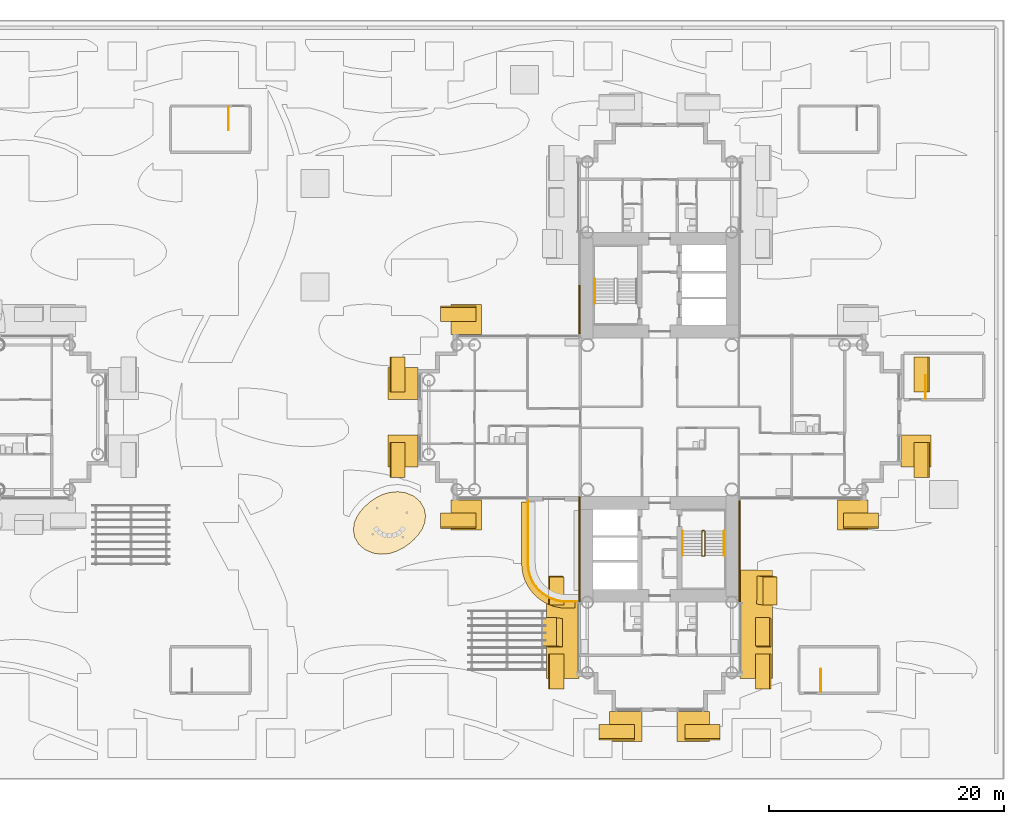
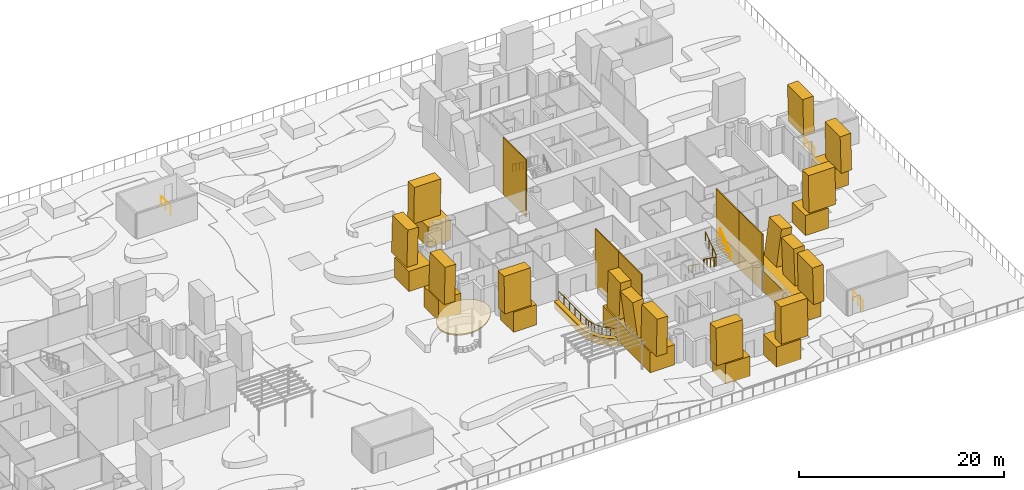
# One storey, part 38 of 40: 32 coverings, 8 railings.
"""IFC4 building model written with IfcOpenShell, lengths in metres."""

from ifc_helpers import new_model, si_unit, direction, frame, origin, origin_2d, place, context, subcontext, project, spatial, polyline, rectangle, circle, outline, extrude, material, layer, layer_set, material_profile, profile_set, type_object, element, save


model = new_model("IFC4")

# Units and contexts
model_context = context("Model", 3, precision=1e-05, world=origin(), true_north=direction((0.0, 1.0)))
body_context = subcontext(model_context, "Body", "Model", "MODEL_VIEW")
ifc_project = project(units=[si_unit("LENGTHUNIT", "METRE"), si_unit("AREAUNIT", "SQUARE_METRE"), si_unit("VOLUMEUNIT", "CUBIC_METRE"), si_unit("PLANEANGLEUNIT", "RADIAN"), si_unit("MASSUNIT", "GRAM", prefix="KILO")], contexts=[model_context])

# Site, building, storey
site_placement = place(None, origin())
site = spatial("IfcSite", under=ifc_project, at=site_placement, CompositionType="ELEMENT")
building_placement = place(site_placement, origin())
building = spatial("IfcBuilding", under=site, at=building_placement, Name="Ipe Terrace Towers", CompositionType="ELEMENT")
storey_placement = place(building_placement, frame((0.0, 0.0, 24.5)))
storey = spatial("IfcBuildingStorey", under=building, at=storey_placement, Name="L05", CompositionType="ELEMENT", Elevation=24.5)

# Covering
ifc_material_1 = material(Name="Concrete C40/50 cast in place", Category="concrete")
ifc_layer_1 = layer(ifc_material_1, 0.14990234375)
ifc_layer_set_1 = layer_set([ifc_layer_1], Name="GARDEN SHADE CANOPY 150")
covering_type_1 = type_object("IfcCoveringType", Name="GARDEN SHADE CANOPY 150", PredefinedType="USERDEFINED", material=ifc_layer_set_1)
covering_1_placement = place(storey_placement, frame((0.0, 0.0, 3.179931640625)))
element("IfcCovering", 1, at=covering_1_placement, inside=storey, type_object=covering_type_1, Name="garden shade canopy", ObjectType="CANOPY", PredefinedType="USERDEFINED", context=body_context, shape_type="SweptSolid", body=[
    extrude(outline(polyline([(16.0, -9.0), (15.77294921875, -9.548095703125), (15.448974609375, -10.02197265625), (15.071044921875, -10.430908203125), (14.652099609375, -10.794921875), (14.179931640625, -11.123046875), (13.633056640625, -11.403076171875), (13.0, -11.60009765625), (12.298095703125, -11.6669921875), (11.575927734375, -11.56201171875), (10.910888671875, -11.27099609375), (10.3798828125, -10.81103515625), (10.0439453125, -10.23388671875), (9.923095703125, -9.60888671875), (10.0, -9.0), (10.22705078125, -8.451904296875), (10.551025390625, -7.97802734375), (10.928955078125, -7.569091796875), (11.347900390625, -7.205078125), (11.820068359375, -6.876953125), (12.366943359375, -6.596923828125), (13.0, -6.39990234375), (13.701904296875, -6.3330078125), (14.424072265625, -6.43798828125), (15.089111328125, -6.72900390625), (15.6201171875, -7.18896484375), (15.9560546875, -7.76611328125), (16.076904296875, -8.39111328125), (16.0, -9.0)])), origin(), (0.0, 0.0, 1.0), 0.150146484375),
])

# Railing
ifc_material_2 = material(Name="Stainless steel S316", Category="steel")
railing_type_1 = type_object("IfcRailingType", Name="GUARD 1100", PredefinedType="BALUSTRADE", material=ifc_material_2)
railing_1_placement = place(storey_placement, frame((24.800048828125, -7.070068359375, -0.02001953125)))
element("IfcRailing", 2, at=railing_1_placement, inside=storey, type_object=railing_type_1, Name="guard", PredefinedType="BALUSTRADE", context=body_context, shape_type="SweptSolid", body=[
    extrude(circle(Radius=0.02392578125, at=origin_2d()), frame((0.0, 0.0, 1.076171875), z_axis=(0.0, -1.0, 0.0), x_axis=(1.0, 0.0, 0.0)), (0.0, 0.0, 1.0), 5.3779296875),
    extrude(circle(Radius=0.02392578125, at=origin_2d()), frame((0.0, -5.3779296875, 1.076171875), z_axis=(0.065190546171, -0.997872833927, 0.0), x_axis=(0.997872833927, 0.065190546171, 0.0)), (0.0, 0.0, 1.0), 0.427001953125),
    extrude(circle(Radius=0.02392578125, at=origin_2d()), frame((0.02783203125, -5.803955078125, 1.076171875), z_axis=(0.195232649896, -0.980756958892, 0.0), x_axis=(0.980756958892, 0.195232649896, 0.0)), (0.0, 0.0, 1.0), 0.42529296875),
    extrude(circle(Radius=0.02392578125, at=origin_2d()), frame((0.11083984375, -6.220947265625, 1.076171875), z_axis=(0.320184280026, -0.947355280148, 0.0), x_axis=(0.947355280148, 0.320184280026, 0.0)), (0.0, 0.0, 1.0), 0.425537109375),
    extrude(circle(Radius=0.02392578125, at=origin_2d()), frame((0.2470703125, -6.6240234375, 1.076171875), z_axis=(0.444455160923, -0.895801099535, 0.0), x_axis=(0.895801099535, 0.444455160923, 0.0)), (0.0, 0.0, 1.0), 0.425048828125),
    extrude(circle(Radius=0.02392578125, at=origin_2d()), frame((0.43603515625, -7.0048828125, 1.076171875), z_axis=(0.55549616226, -0.83151910003, 0.0), x_axis=(0.83151910003, 0.55549616226, 0.0)), (0.0, 0.0, 1.0), 0.424560546875),
    extrude(circle(Radius=0.02392578125, at=origin_2d()), frame((0.671875, -7.35791015625, 1.076171875), z_axis=(0.658463964434, -0.752612255774, 0.0), x_axis=(0.752612255774, 0.658463964434, 0.0)), (0.0, 0.0, 1.0), 0.42529296875),
    extrude(circle(Radius=0.02392578125, at=origin_2d()), frame((0.951904296875, -7.677978515625, 1.076171875), z_axis=(0.752612255774, -0.658463964434, 0.0), x_axis=(0.658463964434, 0.752612255774, 0.0)), (0.0, 0.0, 1.0), 0.42529296875),
    extrude(circle(Radius=0.02392578125, at=origin_2d()), frame((1.27197265625, -7.9580078125, 1.076171875), z_axis=(0.83151910003, -0.55549616226, 0.0), x_axis=(0.55549616226, 0.83151910003, 0.0)), (0.0, 0.0, 1.0), 0.424560546875),
    extrude(circle(Radius=0.02392578125, at=origin_2d()), frame((1.625, -8.19384765625, 1.076171875), z_axis=(0.895801099535, -0.444455160923, 0.0), x_axis=(0.444455160923, 0.895801099535, 0.0)), (0.0, 0.0, 1.0), 0.425048828125),
    extrude(circle(Radius=0.02392578125, at=origin_2d()), frame((2.005859375, -8.3828125, 1.076171875), z_axis=(0.947355280148, -0.320184280026, 0.0), x_axis=(0.320184280026, 0.947355280148, 0.0)), (0.0, 0.0, 1.0), 0.425537109375),
    extrude(circle(Radius=0.02392578125, at=origin_2d()), frame((2.408935546875, -8.51904296875, 1.076171875), z_axis=(0.980756958892, -0.195232649896, 0.0), x_axis=(0.195232649896, 0.980756958892, 0.0)), (0.0, 0.0, 1.0), 0.42529296875),
    extrude(circle(Radius=0.02392578125, at=origin_2d()), frame((2.825927734375, -8.60205078125, 1.076171875), z_axis=(0.997872833927, -0.065190546171, 0.0), x_axis=(0.065190546171, 0.997872833927, 0.0)), (0.0, 0.0, 1.0), 0.427001953125),
    extrude(circle(Radius=0.02392578125, at=origin_2d()), frame((3.251953125, -8.6298828125, 1.076171875), z_axis=(1.0, 0.0, 0.0), x_axis=(0.0, 1.0, 0.0)), (0.0, 0.0, 1.0), 0.8779296875),
    extrude(circle(Radius=0.02099609375, at=origin_2d()), origin(), (0.0, 0.0, 1.0), 1.052001953125),
    extrude(circle(Radius=0.02099609375, at=origin_2d()), frame((0.0, -1.07568359375, 0.0)), (0.0, 0.0, 1.0), 1.052001953125),
    extrude(circle(Radius=0.02099609375, at=origin_2d()), frame((0.0, -2.151123046875, 0.0)), (0.0, 0.0, 1.0), 1.052001953125),
    extrude(circle(Radius=0.02099609375, at=origin_2d()), frame((0.0, -3.226806640625, 0.0)), (0.0, 0.0, 1.0), 1.052001953125),
    extrude(circle(Radius=0.02099609375, at=origin_2d()), frame((0.0, -4.30224609375, 0.0)), (0.0, 0.0, 1.0), 1.052001953125),
    extrude(circle(Radius=0.02099609375, at=origin_2d()), frame((0.0, -5.3779296875, 0.0)), (0.0, 0.0, 1.0), 1.052001953125),
    extrude(circle(Radius=0.02099609375, at=origin_2d()), frame((0.02783203125, -5.803955078125, 0.0)), (0.0, 0.0, 1.0), 1.052001953125),
    extrude(circle(Radius=0.02099609375, at=origin_2d()), frame((0.11083984375, -6.220947265625, 0.0)), (0.0, 0.0, 1.0), 1.052001953125),
    extrude(circle(Radius=0.02099609375, at=origin_2d()), frame((0.2470703125, -6.6240234375, 0.0)), (0.0, 0.0, 1.0), 1.052001953125),
    extrude(circle(Radius=0.02099609375, at=origin_2d()), frame((0.43603515625, -7.0048828125, 0.0)), (0.0, 0.0, 1.0), 1.052001953125),
    extrude(circle(Radius=0.02099609375, at=origin_2d()), frame((0.671875, -7.35791015625, 0.0)), (0.0, 0.0, 1.0), 1.052001953125),
    extrude(circle(Radius=0.02099609375, at=origin_2d()), frame((0.951904296875, -7.677978515625, 0.0)), (0.0, 0.0, 1.0), 1.052001953125),
    extrude(circle(Radius=0.02099609375, at=origin_2d()), frame((1.27197265625, -7.9580078125, 0.0)), (0.0, 0.0, 1.0), 1.052001953125),
    extrude(circle(Radius=0.02099609375, at=origin_2d()), frame((1.625, -8.19384765625, 0.0)), (0.0, 0.0, 1.0), 1.052001953125),
    extrude(circle(Radius=0.02099609375, at=origin_2d()), frame((2.005859375, -8.3828125, 0.0)), (0.0, 0.0, 1.0), 1.052001953125),
    extrude(circle(Radius=0.02099609375, at=origin_2d()), frame((2.408935546875, -8.51904296875, 0.0)), (0.0, 0.0, 1.0), 1.052001953125),
    extrude(circle(Radius=0.02099609375, at=origin_2d()), frame((2.825927734375, -8.60205078125, 0.0)), (0.0, 0.0, 1.0), 1.052001953125),
    extrude(circle(Radius=0.02099609375, at=origin_2d()), frame((3.251953125, -8.6298828125, 0.0)), (0.0, 0.0, 1.0), 1.052001953125),
    extrude(circle(Radius=0.02099609375, at=origin_2d()), frame((4.1298828125, -8.6298828125, 0.0)), (0.0, 0.0, 1.0), 1.052001953125),
])

# Coverings
ifc_material_3 = material(Name="Concrete C50/60 precast, buff finish", Category="concrete")
ifc_layer_2 = layer(ifc_material_3, 0.1201171875)
ifc_layer_set_2 = layer_set([ifc_layer_2], Name="STONE CORE CLADDING 120")
covering_type_2 = type_object("IfcCoveringType", Name="STONE CORE CLADDING 120", PredefinedType="CLADDING", material=ifc_layer_set_2)
covering_2_placement = place(storey_placement, frame((29.18994140625, -13.5, 0.0), z_axis=(0.0, 0.0, 1.0), x_axis=(0.0, -1.0, 0.0)))
element("IfcCovering", 3, at=covering_2_placement, inside=storey, type_object=covering_type_2, Name="stone core cladding", PredefinedType="CLADDING", context=body_context, shape_type="SweptSolid", body=[
    extrude(rectangle(XDim=4.5009765625, YDim=0.1201171875, at=origin_2d()), origin(), (0.0, 0.0, 1.0), 6.800048828125),
])
for number, where, z_axis, x_axis, name in (
    (4, (29.18994140625, -9.0, 0.0), (0.0, 0.0, 1.0), (0.0, -1.0, 0.0), "stone core cladding"),
    (5, (29.18994140625, 9.0, 0.0), (0.0, 0.0, 1.0), (0.0, -1.0, 0.0), "stone core cladding"),
):
    element("IfcCovering", number, at=place(storey_placement, frame(where, z_axis=z_axis, x_axis=x_axis)), inside=storey, type_object=covering_type_2, Name=name, PredefinedType="CLADDING", context=body_context, shape_type="SweptSolid", body=[
        extrude(rectangle(XDim=4.5, YDim=0.1201171875, at=origin_2d()), origin(), (0.0, 0.0, 1.0), 6.800048828125),
    ])
covering_3_placement = place(storey_placement, frame((42.81005859375, -13.5, 0.0), z_axis=(0.0, 0.0, 1.0), x_axis=(0.0, 1.0, 0.0)))
element("IfcCovering", 6, at=covering_3_placement, inside=storey, type_object=covering_type_2, Name="stone core cladding", PredefinedType="CLADDING", context=body_context, shape_type="SweptSolid", body=[
    extrude(rectangle(XDim=4.5009765625, YDim=0.1201171875, at=origin_2d()), origin(), (0.0, 0.0, 1.0), 6.800048828125),
])
covering_4_placement = place(storey_placement, frame((42.81005859375, -9.0, 0.0), z_axis=(0.0, 0.0, 1.0), x_axis=(0.0, 1.0, 0.0)))
element("IfcCovering", 7, at=covering_4_placement, inside=storey, type_object=covering_type_2, Name="stone core cladding", PredefinedType="CLADDING", context=body_context, shape_type="SweptSolid", body=[
    extrude(rectangle(XDim=4.5, YDim=0.1201171875, at=origin_2d()), origin(), (0.0, 0.0, 1.0), 6.800048828125),
])
ifc_material_4 = material(Name="Concrete C50/60 precast, buff finish", Category="concrete")
ifc_layer_3 = layer(ifc_material_4, 0.5)
ifc_layer_set_3 = layer_set([ifc_layer_3], Name="STONE EDGE BAND 500 x 900")
covering_type_3 = type_object("IfcCoveringType", Name="STONE EDGE BAND 500 x 900", PredefinedType="CLADDING", material=ifc_layer_set_3)
covering_5_placement = place(storey_placement, frame((0.0, 0.0, -0.719970703125)))
element("IfcCovering", 8, at=covering_5_placement, inside=storey, type_object=covering_type_3, Name="stone edge band", PredefinedType="CLADDING", context=body_context, shape_type="SweptSolid", body=[
    extrude(outline(polyline([(24.25, -12.449951171875), (24.2509765625, -12.48291015625), (24.279052734375, -12.9130859375), (24.2880859375, -12.97802734375), (24.3720703125, -13.402099609375), (24.388916015625, -13.465087890625), (24.528076171875, -13.8740234375), (24.552978515625, -13.93408203125), (24.743896484375, -14.321044921875), (24.77587890625, -14.3779296875), (25.01611328125, -14.737060546875), (25.055908203125, -14.7890625), (25.341064453125, -15.113037109375), (25.386962890625, -15.158935546875), (25.7109375, -15.444091796875), (25.762939453125, -15.48388671875), (26.1220703125, -15.72412109375), (26.178955078125, -15.756103515625), (26.56591796875, -15.947021484375), (26.6259765625, -15.971923828125), (27.034912109375, -16.111083984375), (27.097900390625, -16.1279296875), (27.52197265625, -16.2119140625), (27.5869140625, -16.220947265625), (28.01708984375, -16.2490234375), (28.050048828125, -16.25), (28.800048828125, -16.25), (28.800048828125, -15.75), (28.050048828125, -15.75), (27.618896484375, -15.721923828125), (27.196044921875, -15.637939453125), (26.787109375, -15.4990234375), (26.39990234375, -15.30810546875), (26.041015625, -15.068115234375), (25.717041015625, -14.782958984375), (25.431884765625, -14.458984375), (25.19189453125, -14.10009765625), (25.0009765625, -13.712890625), (24.862060546875, -13.303955078125), (24.778076171875, -12.881103515625), (24.75, -12.449951171875), (24.75, -7.199951171875), (24.25, -7.199951171875), (24.25, -12.449951171875)])), origin(), (0.0, 0.0, 1.0), 0.89990234375),
])
ifc_material_5 = material(Name="Concrete C50/60 precast, buff finish", Category="concrete")
ifc_material_profile_1 = material_profile(ifc_material_5, rectangle(XDim=2.39990234375, YDim=1.199951171875, at=origin_2d()), Name="STONE FIN 2400 x 1200")
ifc_profile_set_1 = profile_set([ifc_material_profile_1], Name="Concrete C50/60 precast, buff finish")
covering_type_4 = type_object("IfcCoveringType", Name="STONE FIN 2400 x 1200", PredefinedType="USERDEFINED", material=ifc_profile_set_1)
covering_6_placement = place(storey_placement, frame((27.1298828125, -14.699951171875, 2.39990234375), z_axis=(0.025453987351, -0.020241188198, 0.999471054522), x_axis=(-0.00051532453, -0.999795126164, -0.020234627259)))
element("IfcCovering", 9, at=covering_6_placement, inside=storey, type_object=covering_type_4, Name="stone fin", ObjectType="FIN", PredefinedType="USERDEFINED", context=body_context, shape_type="SweptSolid", body=[
    extrude(rectangle(XDim=2.39990234375, YDim=1.199951171875, at=origin_2d()), origin(), (0.0, 0.0, 1.0), 4.402587890625),
])
for number, where, z_axis, x_axis, name in (
    (10, (27.1298828125, -18.35009765625, 2.39990234375), (-0.117070138766, 0.020108517953, 0.992920052227), (-0.002354583069, -0.999797803311, 0.019970188603), "stone fin"),
    (11, (44.8701171875, -14.699951171875, 2.39990234375), (0.117070138766, -0.020108517953, 0.992920052227), (0.002354583069, 0.999797803311, 0.019970188603), "stone fin"),
):
    element("IfcCovering", number, at=place(storey_placement, frame(where, z_axis=z_axis, x_axis=x_axis)), inside=storey, type_object=covering_type_4, Name=name, ObjectType="FIN", PredefinedType="USERDEFINED", context=body_context, shape_type="SweptSolid", body=[
        extrude(rectangle(XDim=2.39990234375, YDim=1.199951171875, at=origin_2d()), origin(), (0.0, 0.0, 1.0), 4.431640625),
    ])
covering_7_placement = place(storey_placement, frame((44.8701171875, -18.35009765625, 2.39990234375), z_axis=(-0.025453987351, 0.020241188198, 0.999471054522), x_axis=(0.00051532453, 0.999795126164, -0.020234627259)))
element("IfcCovering", 12, at=covering_7_placement, inside=storey, type_object=covering_type_4, Name="stone fin", ObjectType="FIN", PredefinedType="USERDEFINED", context=body_context, shape_type="SweptSolid", body=[
    extrude(rectangle(XDim=2.39990234375, YDim=1.199951171875, at=origin_2d()), origin(), (0.0, 0.0, 1.0), 4.402587890625),
])
ifc_material_6 = material(Name="Concrete C50/60 precast, buff finish", Category="concrete")
ifc_material_profile_2 = material_profile(ifc_material_6, rectangle(XDim=2.56005859375, YDim=2.39990234375, at=origin_2d()), Name="STONE FIN BASE SPANDREL 2560 x 2400")
ifc_profile_set_2 = profile_set([ifc_material_profile_2], Name="Concrete C50/60 precast, buff finish")
covering_type_5 = type_object("IfcCoveringType", Name="STONE FIN BASE SPANDREL 2560 x 2400", PredefinedType="CLADDING", material=ifc_profile_set_2)
covering_8_placement = place(storey_placement, frame((51.14990234375, -8.340087890625, 1.199951171875), z_axis=(1.0, 0.0, 0.0), x_axis=(0.0, -1.0, 0.0)))
element("IfcCovering", 13, at=covering_8_placement, inside=storey, type_object=covering_type_5, Name="stone fin spandrel", PredefinedType="CLADDING", context=body_context, shape_type="SweptSolid", body=[
    extrude(rectangle(XDim=2.56005859375, YDim=2.39990234375, at=origin_2d()), origin(), (0.0, 0.0, 1.0), 2.60009765625),
])
covering_9_placement = place(storey_placement, frame((57.840087890625, -4.25, 1.199951171875), z_axis=(0.0, 1.0, 0.0), x_axis=(1.0, 0.0, 0.0)))
element("IfcCovering", 14, at=covering_9_placement, inside=storey, type_object=covering_type_5, Name="stone fin spandrel", PredefinedType="CLADDING", context=body_context, shape_type="SweptSolid", body=[
    extrude(rectangle(XDim=2.56005859375, YDim=2.39990234375, at=origin_2d()), origin(), (0.0, 0.0, 1.0), 2.75),
])
covering_10_placement = place(storey_placement, frame((20.85009765625, 8.340087890625, 1.199951171875), z_axis=(-1.0, 0.0, 0.0), x_axis=(0.0, 1.0, 0.0)))
element("IfcCovering", 15, at=covering_10_placement, inside=storey, type_object=covering_type_5, Name="stone fin spandrel", PredefinedType="CLADDING", context=body_context, shape_type="SweptSolid", body=[
    extrude(rectangle(XDim=2.56005859375, YDim=2.39990234375, at=origin_2d()), origin(), (0.0, 0.0, 1.0), 2.60009765625),
])
for number, where, z_axis, x_axis, name in (
    (16, (14.159912109375, 4.25, 1.199951171875), (0.0, -1.0, 0.0), (-1.0, 0.0, 0.0), "stone fin spandrel"),
    (17, (14.159912109375, -1.5, 1.199951171875), (0.0, -1.0, 0.0), (-1.0, 0.0, 0.0), "stone fin spandrel"),
):
    element("IfcCovering", number, at=place(storey_placement, frame(where, z_axis=z_axis, x_axis=x_axis)), inside=storey, type_object=covering_type_5, Name=name, PredefinedType="CLADDING", context=body_context, shape_type="SweptSolid", body=[
        extrude(rectangle(XDim=2.56005859375, YDim=2.39990234375, at=origin_2d()), origin(), (0.0, 0.0, 1.0), 2.75),
    ])
covering_11_placement = place(storey_placement, frame((18.25, -8.340087890625, 1.199951171875), z_axis=(1.0, 0.0, 0.0), x_axis=(0.0, -1.0, 0.0)))
element("IfcCovering", 18, at=covering_11_placement, inside=storey, type_object=covering_type_5, Name="stone fin spandrel", PredefinedType="CLADDING", context=body_context, shape_type="SweptSolid", body=[
    extrude(rectangle(XDim=2.56005859375, YDim=2.39990234375, at=origin_2d()), origin(), (0.0, 0.0, 1.0), 2.60009765625),
])
for number, where, z_axis, x_axis, name in (
    (19, (31.75, -26.340087890625, 1.199951171875), (1.0, 0.0, 0.0), (0.0, -1.0, 0.0), "stone fin spandrel"),
    (20, (37.5, -26.340087890625, 1.199951171875), (1.0, 0.0, 0.0), (0.0, -1.0, 0.0), "stone fin spandrel"),
):
    element("IfcCovering", number, at=place(storey_placement, frame(where, z_axis=z_axis, x_axis=x_axis)), inside=storey, type_object=covering_type_5, Name=name, PredefinedType="CLADDING", context=body_context, shape_type="SweptSolid", body=[
        extrude(rectangle(XDim=2.56005859375, YDim=2.39990234375, at=origin_2d()), origin(), (0.0, 0.0, 1.0), 2.75),
    ])
ifc_material_7 = material(Name="Concrete C50/60 precast, buff finish", Category="concrete")
ifc_material_profile_3 = material_profile(ifc_material_7, rectangle(XDim=2.760009765625, YDim=2.39990234375, at=origin_2d()), Name="STONE FIN BASE SPANDREL 2760 x 2400")
ifc_profile_set_3 = profile_set([ifc_material_profile_3], Name="Concrete C50/60 precast, buff finish")
covering_type_6 = type_object("IfcCoveringType", Name="STONE FIN BASE SPANDREL 2760 x 2400", PredefinedType="CLADDING", material=ifc_profile_set_3)
for number, where, z_axis, x_axis, name in (
    (21, (44.239990234375, -22.25, 1.199951171875), (0.0, 1.0, 0.0), (1.0, 0.0, 0.0), "stone fin spandrel"),
    (22, (27.760009765625, -13.0, 1.199951171875), (0.0, -1.0, 0.0), (-1.0, 0.0, 0.0), "stone fin spandrel"),
):
    element("IfcCovering", number, at=place(storey_placement, frame(where, z_axis=z_axis, x_axis=x_axis)), inside=storey, type_object=covering_type_6, Name=name, PredefinedType="CLADDING", context=body_context, shape_type="SweptSolid", body=[
        extrude(rectangle(XDim=2.760009765625, YDim=2.39990234375, at=origin_2d()), origin(), (0.0, 0.0, 1.0), 9.25),
    ])
ifc_material_8 = material(Name="Concrete C50/60 precast, buff finish", Category="concrete")
ifc_material_profile_4 = material_profile(ifc_material_8, rectangle(XDim=3.0, YDim=1.199951171875, at=origin_2d()), Name="STONE FIN CORNER 3000 x 1200")
ifc_profile_set_4 = profile_set([ifc_material_profile_4], Name="Concrete C50/60 precast, buff finish")
covering_type_7 = type_object("IfcCoveringType", Name="STONE FIN CORNER 3000 x 1200", PredefinedType="USERDEFINED", material=ifc_profile_set_4)
for number, where, z_axis, x_axis, name in (
    (23, (13.6298828125, -3.64990234375, 2.39990234375), (0.025459203276, 0.0, 0.999675861952), (0.0, -1.0, 0.0), "stone fin"),
    (24, (13.6298828125, 3.64990234375, 2.39990234375), (0.025459203276, 0.0, 0.999675861952), (0.0, -1.0, 0.0), "stone fin"),
    (25, (18.85009765625, -8.8701171875, 2.39990234375), (0.0, 0.025459203276, 0.999675861952), (1.0, 0.0, 0.0), "stone fin"),
    (26, (18.85009765625, 8.8701171875, 2.39990234375), (0.0, -0.025459203276, 0.999675861952), (-1.0, 0.0, 0.0), "stone fin"),
    (27, (27.1298828125, -21.64990234375, 2.39990234375), (0.025459203276, 0.0, 0.999675861952), (0.0, -1.0, 0.0), "stone fin"),
    (28, (32.35009765625, -26.8701171875, 2.39990234375), (0.0, 0.025459203276, 0.999675861952), (1.0, 0.0, 0.0), "stone fin"),
    (29, (39.64990234375, -26.8701171875, 2.39990234375), (0.0, 0.025459203276, 0.999675861952), (1.0, 0.0, 0.0), "stone fin"),
    (30, (44.8701171875, -21.64990234375, 2.39990234375), (-0.025459203276, 0.0, 0.999675861952), (0.0, 1.0, 0.0), "stone fin"),
    (31, (53.14990234375, -8.8701171875, 2.39990234375), (0.0, 0.025459203276, 0.999675861952), (1.0, 0.0, 0.0), "stone fin"),
    (32, (58.3701171875, -3.64990234375, 2.39990234375), (-0.025459203276, 0.0, 0.999675861952), (0.0, 1.0, 0.0), "stone fin"),
    (33, (58.3701171875, 3.64990234375, 2.39990234375), (-0.025459203276, 0.0, 0.999675861952), (0.0, 1.0, 0.0), "stone fin"),
):
    element("IfcCovering", number, at=place(storey_placement, frame(where, z_axis=z_axis, x_axis=x_axis)), inside=storey, type_object=covering_type_7, Name=name, ObjectType="FIN", PredefinedType="USERDEFINED", context=body_context, shape_type="SweptSolid", body=[
        extrude(rectangle(XDim=3.0, YDim=1.199951171875, at=origin_2d()), origin(), (0.0, 0.0, 1.0), 4.401611328125),
    ])

# Railings
ifc_material_9 = material(Name="Steel S355", Category="steel")
railing_type_2 = type_object("IfcRailingType", Name="Stair guard 1100", PredefinedType="GUARDRAIL", material=ifc_material_9)
railing_2_placement = place(storey_placement, frame((39.800048828125, -9.64990234375, 0.0)))
element("IfcRailing", 34, at=railing_2_placement, inside=storey, type_object=railing_type_2, Name="L05 T2-ST2 stair guard 1", PredefinedType="GUARDRAIL", context=body_context, shape_type="SweptSolid", body=[
    extrude(circle(Radius=0.02392578125, at=origin_2d()), frame((0.0, 0.0, 1.076171875), z_axis=(-1.0, 0.0, 0.0), x_axis=(0.0, -1.0, 0.0)), (0.0, 0.0, 1.0), 0.150146484375),
    extrude(circle(Radius=0.02392578125, at=origin_2d()), frame((-0.150146484375, 0.0, 1.076171875), z_axis=(-0.246893586699, -0.248103849378, 0.936743314239), x_axis=(0.708833529934, -0.705375805398, 0.0)), (0.0, 0.0, 1.0), 0.20166015625),
    extrude(circle(Radius=0.02392578125, at=origin_2d()), frame((-0.199951171875, -0.050048828125, 1.26513671875), z_axis=(0.0, -0.809068575486, 0.587714250432), x_axis=(1.0, 0.0, 0.0)), (0.0, 0.0, 1.0), 2.571044921875),
    extrude(circle(Radius=0.02392578125, at=origin_2d()), frame((-0.199951171875, -2.130126953125, 2.77587890625), z_axis=(0.705375805398, -0.708833529934, 0.0), x_axis=(0.708833529934, 0.705375805398, 0.0)), (0.0, 0.0, 1.0), 0.070556640625),
    extrude(circle(Radius=0.02392578125, at=origin_2d()), frame((-0.150146484375, -2.18017578125, 2.77587890625), z_axis=(1.0, 0.0, 0.0), x_axis=(0.0, 1.0, 0.0)), (0.0, 0.0, 1.0), 0.150146484375),
    extrude(circle(Radius=0.02392578125, at=origin_2d()), frame((0.0, -2.18017578125, 2.77587890625), z_axis=(0.248029566107, 0.248029566107, 0.936462849596), x_axis=(-0.707106781187, 0.707106781187, 0.0)), (0.0, 0.0, 1.0), 0.201904296875),
    extrude(circle(Radius=0.02392578125, at=origin_2d()), frame((0.050048828125, -2.130126953125, 2.96484375), z_axis=(0.0, 0.809068575486, 0.587714250432), x_axis=(-1.0, 0.0, 0.0)), (0.0, 0.0, 1.0), 2.571044921875),
    extrude(circle(Radius=0.02099609375, at=origin_2d()), origin(), (0.0, 0.0, 1.0), 1.052001953125),
    extrude(circle(Radius=0.02099609375, at=origin_2d()), frame((-0.150146484375, 0.0, 0.0)), (0.0, 0.0, 1.0), 1.052001953125),
    extrude(circle(Radius=0.02099609375, at=origin_2d()), frame((-0.199951171875, -0.050048828125, 0.18896484375)), (0.0, 0.0, 1.0), 1.052001953125),
    extrude(circle(Radius=0.02099609375, at=origin_2d()), frame((-0.199951171875, -0.743408203125, 0.692626953125)), (0.0, 0.0, 1.0), 1.052001953125),
    extrude(circle(Radius=0.02099609375, at=origin_2d()), frame((-0.199951171875, -1.436767578125, 1.1962890625)), (0.0, 0.0, 1.0), 1.052001953125),
    extrude(circle(Radius=0.02099609375, at=origin_2d()), frame((-0.199951171875, -2.130126953125, 1.699951171875)), (0.0, 0.0, 1.0), 1.052001953125),
    extrude(circle(Radius=0.02099609375, at=origin_2d()), frame((-0.150146484375, -2.18017578125, 1.699951171875)), (0.0, 0.0, 1.0), 1.052001953125),
    extrude(circle(Radius=0.02099609375, at=origin_2d()), frame((0.0, -2.18017578125, 1.699951171875)), (0.0, 0.0, 1.0), 1.052001953125),
    extrude(circle(Radius=0.02099609375, at=origin_2d()), frame((0.050048828125, -2.130126953125, 1.888916015625)), (0.0, 0.0, 1.0), 1.052001953125),
    extrude(circle(Radius=0.02099609375, at=origin_2d()), frame((0.050048828125, -1.436767578125, 2.392578125)), (0.0, 0.0, 1.0), 1.052001953125),
    extrude(circle(Radius=0.02099609375, at=origin_2d()), frame((0.050048828125, -0.743408203125, 2.896240234375)), (0.0, 0.0, 1.0), 1.052001953125),
    extrude(circle(Radius=0.02099609375, at=origin_2d()), frame((0.050048828125, -0.050048828125, 3.39990234375)), (0.0, 0.0, 1.0), 1.052001953125),
])
railing_3_placement = place(storey_placement, frame((-0.699951171875, 26.39990234375, 0.0)))
element("IfcRailing", 35, at=railing_3_placement, inside=storey, type_object=railing_type_2, Name="L05 PS2 top well guard 1", PredefinedType="GUARDRAIL", context=body_context, shape_type="SweptSolid", body=[
    extrude(circle(Radius=0.02392578125, at=origin_2d()), frame((0.0, 0.0, 1.076171875), z_axis=(0.0, -1.0, 0.0), x_axis=(1.0, 0.0, 0.0)), (0.0, 0.0, 1.0), 1.949951171875),
    extrude(circle(Radius=0.02099609375, at=origin_2d()), origin(), (0.0, 0.0, 1.0), 1.052001953125),
    extrude(circle(Radius=0.02099609375, at=origin_2d()), frame((0.0, -0.97509765625, 0.0)), (0.0, 0.0, 1.0), 1.052001953125),
    extrude(circle(Radius=0.02099609375, at=origin_2d()), frame((0.0, -1.949951171875, 0.0)), (0.0, 0.0, 1.0), 1.052001953125),
])
for number, where, name in (
    (36, (49.719970703125, -23.39990234375, 0.0), "L05 PS6 top well guard 1"),
    (37, (58.639892578125, 1.60009765625, 0.0), "L05 PS8 top well guard 1"),
):
    element("IfcRailing", number, at=place(storey_placement, frame(where)), inside=storey, type_object=railing_type_2, Name=name, PredefinedType="GUARDRAIL", context=body_context, shape_type="SweptSolid", body=[
        extrude(circle(Radius=0.02392578125, at=origin_2d()), frame((0.0, 0.0, 1.076171875), z_axis=(0.0, 1.0, 0.0), x_axis=(-1.0, 0.0, 0.0)), (0.0, 0.0, 1.0), 1.949951171875),
        extrude(circle(Radius=0.02099609375, at=origin_2d()), origin(), (0.0, 0.0, 1.0), 1.052001953125),
        extrude(circle(Radius=0.02099609375, at=origin_2d()), frame((0.0, 0.97509765625, 0.0)), (0.0, 0.0, 1.0), 1.052001953125),
        extrude(circle(Radius=0.02099609375, at=origin_2d()), frame((0.0, 1.949951171875, 0.0)), (0.0, 0.0, 1.0), 1.052001953125),
    ])
ifc_material_10 = material(Name="Stainless steel grade 304", Category="steel")
railing_type_3 = type_object("IfcRailingType", Name="Stair handrail 900", PredefinedType="HANDRAIL", material=ifc_material_10)
for number, where, name in (
    (38, (30.5, 11.780029296875, 1.888916015625), "L05 T2-ST1 stair handrail 2"),
    (39, (37.949951171875, -9.699951171875, 0.18896484375), "L05 T2-ST2 stair handrail 1"),
):
    element("IfcRailing", number, at=place(storey_placement, frame(where)), inside=storey, type_object=railing_type_3, Name=name, PredefinedType="HANDRAIL", context=body_context, shape_type="SweptSolid", body=[
        extrude(circle(Radius=0.02392578125, at=origin_2d()), frame((0.0, 0.0, 0.8759765625), z_axis=(0.0, -0.809068575486, 0.587714250432), x_axis=(1.0, 0.0, 0.0)), (0.0, 0.0, 1.0), 2.571044921875),
        extrude(circle(Radius=0.02099609375, at=origin_2d()), origin(), (0.0, 0.0, 1.0), 0.851806640625),
        extrude(circle(Radius=0.02099609375, at=origin_2d()), frame((0.0, -0.693359375, 0.503662109375)), (0.0, 0.0, 1.0), 0.851806640625),
        extrude(circle(Radius=0.02099609375, at=origin_2d()), frame((0.0, -1.38671875, 1.00732421875)), (0.0, 0.0, 1.0), 0.851806640625),
        extrude(circle(Radius=0.02099609375, at=origin_2d()), frame((0.0, -2.080078125, 1.510986328125)), (0.0, 0.0, 1.0), 0.851806640625),
    ])
railing_4_placement = place(storey_placement, frame((41.5, -11.780029296875, 1.888916015625)))
element("IfcRailing", 40, at=railing_4_placement, inside=storey, type_object=railing_type_3, Name="L05 T2-ST2 stair handrail 2", PredefinedType="HANDRAIL", context=body_context, shape_type="SweptSolid", body=[
    extrude(circle(Radius=0.02392578125, at=origin_2d()), frame((0.0, 0.0, 0.8759765625), z_axis=(0.0, 0.809068575486, 0.587714250432), x_axis=(-1.0, 0.0, 0.0)), (0.0, 0.0, 1.0), 2.571044921875),
    extrude(circle(Radius=0.02099609375, at=origin_2d()), origin(), (0.0, 0.0, 1.0), 0.851806640625),
    extrude(circle(Radius=0.02099609375, at=origin_2d()), frame((0.0, 0.693359375, 0.503662109375)), (0.0, 0.0, 1.0), 0.851806640625),
    extrude(circle(Radius=0.02099609375, at=origin_2d()), frame((0.0, 1.38671875, 1.00732421875)), (0.0, 0.0, 1.0), 0.851806640625),
    extrude(circle(Radius=0.02099609375, at=origin_2d()), frame((0.0, 2.080078125, 1.510986328125)), (0.0, 0.0, 1.0), 0.851806640625),
])

save(model, "model.ifc")
